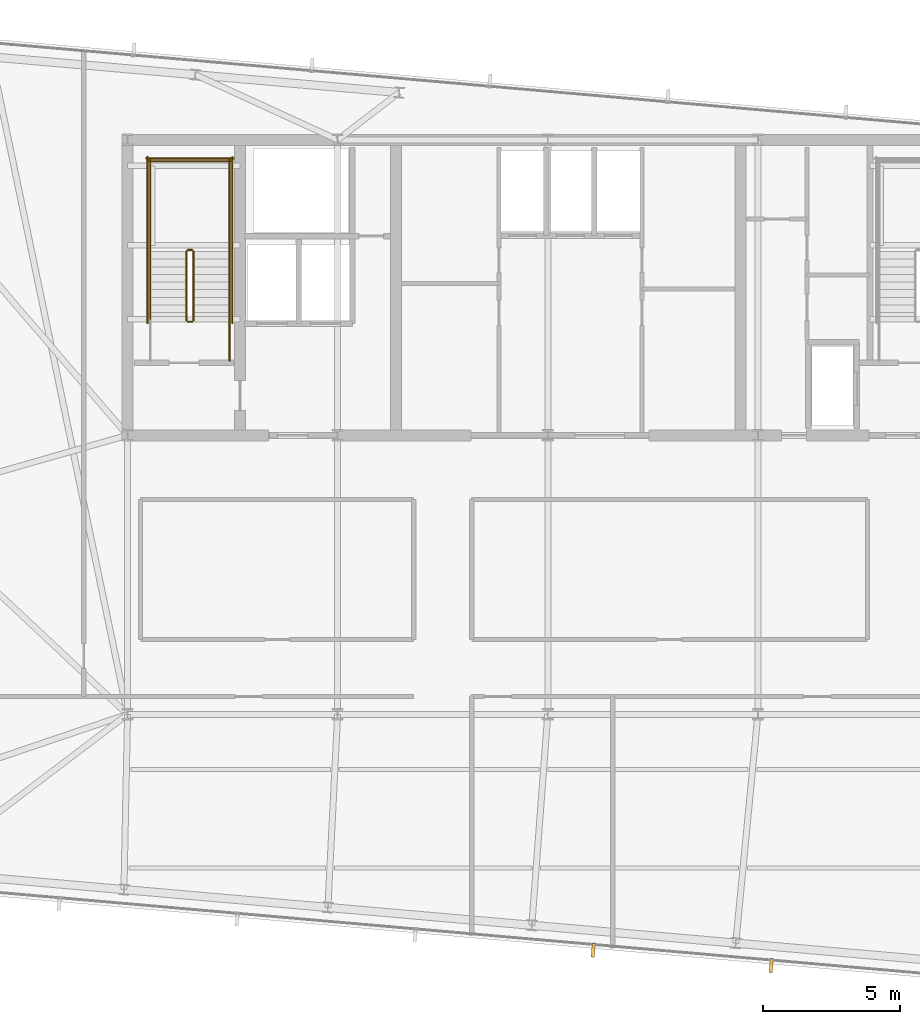
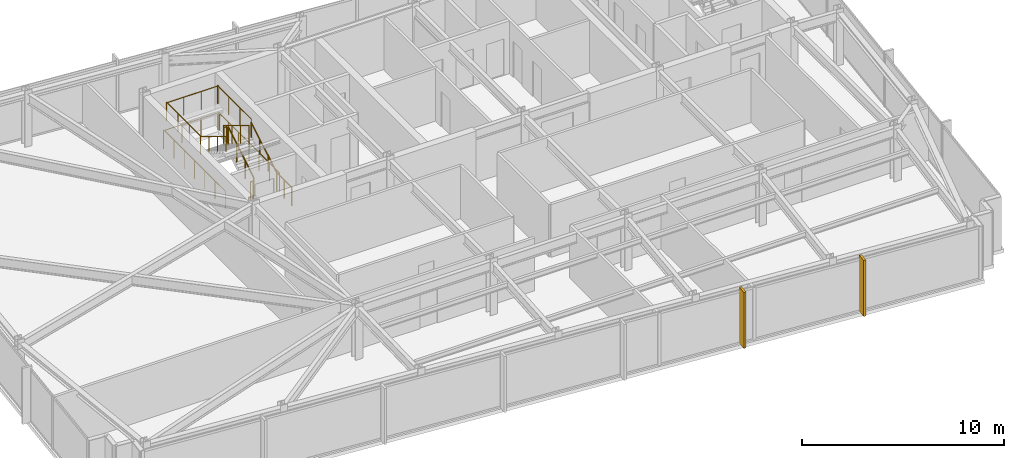
# One storey, part 30 of 32: 13 railings, 2 shading devices.
"""IFC4 building model written with IfcOpenShell, lengths in metres."""

from ifc_helpers import new_model, si_unit, direction, frame, origin, origin_2d, place, context, subcontext, project, spatial, rectangle, circle, extrude, material, layer, layer_set, type_object, element, save


model = new_model("IFC4")

# Units and contexts
model_context = context("Model", 3, precision=1e-05, world=origin(), true_north=direction((0.0, 1.0)))
body_context = subcontext(model_context, "Body", "Model", "MODEL_VIEW")
ifc_project = project(units=[si_unit("LENGTHUNIT", "METRE"), si_unit("AREAUNIT", "SQUARE_METRE"), si_unit("VOLUMEUNIT", "CUBIC_METRE"), si_unit("PLANEANGLEUNIT", "RADIAN"), si_unit("MASSUNIT", "GRAM", prefix="KILO")], contexts=[model_context])

# Site, building, storey
site_placement = place(None, origin())
site = spatial("IfcSite", under=ifc_project, at=site_placement, CompositionType="ELEMENT")
building_placement = place(site_placement, origin())
building = spatial("IfcBuilding", under=site, at=building_placement, Name="Yelkora Congress Tower", CompositionType="ELEMENT")
storey_placement = place(building_placement, frame((0.0, 0.0, 262.5)))
storey = spatial("IfcBuildingStorey", under=building, at=storey_placement, Name="L73", CompositionType="ELEMENT", Elevation=262.5)

# Railings
ifc_material_1 = material(Name="Painted galvanised steel stair well guard with vertical infill", Category="steel")
ifc_layer_1 = layer(ifc_material_1, 0.06005859375)
ifc_layer_set_1 = layer_set([ifc_layer_1], Name="Painted galvanised steel stair well guard with vertical infill")
railing_type_1 = type_object("IfcRailingType", Name="RAIL-STAIR-GUARD-1120", PredefinedType="GUARDRAIL", material=ifc_layer_set_1)
railing_1_placement = place(storey_placement, frame((25.449951171875, 39.60009765625, 0.169921875)))
element("IfcRailing", 1, at=railing_1_placement, inside=storey, type_object=railing_type_1, Name="ST-01 L73 Stair Well Guardrail 1", PredefinedType="GUARDRAIL", context=body_context, shape_type="SweptSolid", body=[
    extrude(circle(Radius=0.02392578125, at=origin_2d()), frame((0.0, 0.0, 1.09619140625), z_axis=(0.0, 0.85478489116, 0.518982456201), x_axis=(-1.0, 0.0, 0.0)), (0.0, 0.0, 1.0), 2.9482421875),
    extrude(circle(Radius=0.02099609375, at=origin_2d()), origin(), (0.0, 0.0, 1.0), 1.072021484375),
    extrude(circle(Radius=0.02099609375, at=origin_2d()), frame((0.0, 0.840087890625, 0.510009765625)), (0.0, 0.0, 1.0), 1.072021484375),
    extrude(circle(Radius=0.02099609375, at=origin_2d()), frame((0.0, 1.679931640625, 1.02001953125)), (0.0, 0.0, 1.0), 1.072021484375),
    extrude(circle(Radius=0.02099609375, at=origin_2d()), frame((0.0, 2.52001953125, 1.530029296875)), (0.0, 0.0, 1.0), 1.072021484375),
])
railing_2_placement = place(storey_placement, frame((25.39990234375, 42.169921875, 1.699951171875)))
element("IfcRailing", 2, at=railing_2_placement, inside=storey, type_object=railing_type_1, Name="ST-01 L73 Stair Well Guardrail 2", PredefinedType="GUARDRAIL", context=body_context, shape_type="SweptSolid", body=[
    extrude(circle(Radius=0.02392578125, at=origin_2d()), frame((0.0, 0.0, 1.09619140625), z_axis=(-1.0, 0.0, 0.0), x_axis=(0.0, -1.0, 0.0)), (0.0, 0.0, 1.0), 0.159912109375),
    extrude(circle(Radius=0.02099609375, at=origin_2d()), origin(), (0.0, 0.0, 1.0), 1.072021484375),
    extrude(circle(Radius=0.02099609375, at=origin_2d()), frame((-0.159912109375, 0.0, 0.0)), (0.0, 0.0, 1.0), 1.072021484375),
])
for number, where, name in (
    (3, (26.77001953125, 42.1201171875, 1.699951171875), "ST-01 L73 Stair Well Guardrail 3"),
    (4, (23.8701171875, 42.1201171875, 1.699951171875), "ST-01 L73 Stair Well Guardrail 4"),
):
    element("IfcRailing", number, at=place(storey_placement, frame(where)), inside=storey, type_object=railing_type_1, Name=name, PredefinedType="GUARDRAIL", context=body_context, shape_type="SweptSolid", body=[
        extrude(circle(Radius=0.02392578125, at=origin_2d()), frame((0.0, 0.0, 1.09619140625), z_axis=(0.0, 1.0, 0.0), x_axis=(-1.0, 0.0, 0.0)), (0.0, 0.0, 1.0), 3.349853515625),
        extrude(circle(Radius=0.02099609375, at=origin_2d()), origin(), (0.0, 0.0, 1.0), 1.072021484375),
        extrude(circle(Radius=0.02099609375, at=origin_2d()), frame((0.0, 1.11669921875, 0.0)), (0.0, 0.0, 1.0), 1.072021484375),
        extrude(circle(Radius=0.02099609375, at=origin_2d()), frame((0.0, 2.233154296875, 0.0)), (0.0, 0.0, 1.0), 1.072021484375),
        extrude(circle(Radius=0.02099609375, at=origin_2d()), frame((0.0, 3.349853515625, 0.0)), (0.0, 0.0, 1.0), 1.072021484375),
    ])
railing_3_placement = place(storey_placement, frame((26.820068359375, 45.419921875, 1.699951171875)))
element("IfcRailing", 5, at=railing_3_placement, inside=storey, type_object=railing_type_1, Name="ST-01 L73 Stair Well Guardrail 5", PredefinedType="GUARDRAIL", context=body_context, shape_type="SweptSolid", body=[
    extrude(circle(Radius=0.02392578125, at=origin_2d()), frame((0.0, 0.0, 1.09619140625), z_axis=(-1.0, 0.0, 0.0), x_axis=(0.0, -1.0, 0.0)), (0.0, 0.0, 1.0), 3.0),
    extrude(circle(Radius=0.02099609375, at=origin_2d()), origin(), (0.0, 0.0, 1.0), 1.072021484375),
    extrude(circle(Radius=0.02099609375, at=origin_2d()), frame((-1.0, 0.0, 0.0)), (0.0, 0.0, 1.0), 1.072021484375),
    extrude(circle(Radius=0.02099609375, at=origin_2d()), frame((-2.0, 0.0, 0.0)), (0.0, 0.0, 1.0), 1.072021484375),
    extrude(circle(Radius=0.02099609375, at=origin_2d()), frame((-3.0, 0.0, 0.0)), (0.0, 0.0, 1.0), 1.072021484375),
])
railing_4_placement = place(storey_placement, frame((25.18994140625, 42.1201171875, 1.8701171875)))
element("IfcRailing", 6, at=railing_4_placement, inside=storey, type_object=railing_type_1, Name="ST-01 L73 Stair Well Guardrail 6", PredefinedType="GUARDRAIL", context=body_context, shape_type="SweptSolid", body=[
    extrude(circle(Radius=0.02392578125, at=origin_2d()), frame((0.0, 0.0, 1.09619140625), z_axis=(0.0, -0.854821627497, 0.518921945155), x_axis=(1.0, 0.0, 0.0)), (0.0, 0.0, 1.0), 2.947998046875),
    extrude(circle(Radius=0.02099609375, at=origin_2d()), origin(), (0.0, 0.0, 1.0), 1.072021484375),
    extrude(circle(Radius=0.02099609375, at=origin_2d()), frame((0.0, -0.840087890625, 0.510009765625)), (0.0, 0.0, 1.0), 1.072021484375),
    extrude(circle(Radius=0.02099609375, at=origin_2d()), frame((0.0, -1.679931640625, 1.019775390625)), (0.0, 0.0, 1.0), 1.072021484375),
    extrude(circle(Radius=0.02099609375, at=origin_2d()), frame((0.0, -2.52001953125, 1.52978515625)), (0.0, 0.0, 1.0), 1.072021484375),
])
railing_5_placement = place(storey_placement, frame((25.39990234375, 39.550048828125, 0.0)))
element("IfcRailing", 7, at=railing_5_placement, inside=storey, type_object=railing_type_1, Name="ST-01 L73 Stair Well Guardrail 7", PredefinedType="GUARDRAIL", context=body_context, shape_type="SweptSolid", body=[
    extrude(circle(Radius=0.02392578125, at=origin_2d()), frame((0.0, 0.0, 1.09619140625), z_axis=(-1.0, 0.0, 0.0), x_axis=(0.0, -1.0, 0.0)), (0.0, 0.0, 1.0), 0.159912109375),
    extrude(circle(Radius=0.02099609375, at=origin_2d()), origin(), (0.0, 0.0, 1.0), 1.072021484375),
    extrude(circle(Radius=0.02099609375, at=origin_2d()), frame((-0.159912109375, 0.0, 0.0)), (0.0, 0.0, 1.0), 1.072021484375),
])
railing_6_placement = place(storey_placement, frame((26.77001953125, 38.1201171875, 0.0)))
element("IfcRailing", 8, at=railing_6_placement, inside=storey, type_object=railing_type_1, Name="ST-01 L73 Stair Well Guardrail 8", PredefinedType="GUARDRAIL", context=body_context, shape_type="SweptSolid", body=[
    extrude(circle(Radius=0.02392578125, at=origin_2d()), frame((0.0, 0.0, 1.09619140625), z_axis=(0.0, 1.0, 0.0), x_axis=(-1.0, 0.0, 0.0)), (0.0, 0.0, 1.0), 1.47998046875),
    extrude(circle(Radius=0.02099609375, at=origin_2d()), origin(), (0.0, 0.0, 1.0), 1.072021484375),
    extrude(circle(Radius=0.02099609375, at=origin_2d()), frame((0.0, 0.739990234375, 0.0)), (0.0, 0.0, 1.0), 1.072021484375),
    extrude(circle(Radius=0.02099609375, at=origin_2d()), frame((0.0, 1.47998046875, 0.0)), (0.0, 0.0, 1.0), 1.072021484375),
])
for number, where, name in (
    (9, (26.8701171875, 39.5, 0.0), "ST-01 L73 Stair Well Guardrail 10"),
    (10, (23.77001953125, 39.5, 0.0), "ST-01 L73 Stair Well Guardrail 11"),
):
    element("IfcRailing", number, at=place(storey_placement, frame(where)), inside=storey, type_object=railing_type_1, Name=name, PredefinedType="GUARDRAIL", context=body_context, shape_type="SweptSolid", body=[
        extrude(circle(Radius=0.02392578125, at=origin_2d()), frame((0.0, 0.0, 1.09619140625), z_axis=(0.0, 1.0, 0.0), x_axis=(-1.0, 0.0, 0.0)), (0.0, 0.0, 1.0), 6.070068359375),
        extrude(circle(Radius=0.02099609375, at=origin_2d()), origin(), (0.0, 0.0, 1.0), 1.072021484375),
        extrude(circle(Radius=0.02099609375, at=origin_2d()), frame((0.0, 1.01171875, 0.0)), (0.0, 0.0, 1.0), 1.072021484375),
        extrude(circle(Radius=0.02099609375, at=origin_2d()), frame((0.0, 2.0234375, 0.0)), (0.0, 0.0, 1.0), 1.072021484375),
        extrude(circle(Radius=0.02099609375, at=origin_2d()), frame((0.0, 3.03515625, 0.0)), (0.0, 0.0, 1.0), 1.072021484375),
        extrude(circle(Radius=0.02099609375, at=origin_2d()), frame((0.0, 4.046630859375, 0.0)), (0.0, 0.0, 1.0), 1.072021484375),
        extrude(circle(Radius=0.02099609375, at=origin_2d()), frame((0.0, 5.058349609375, 0.0)), (0.0, 0.0, 1.0), 1.072021484375),
        extrude(circle(Radius=0.02099609375, at=origin_2d()), frame((0.0, 6.070068359375, 0.0)), (0.0, 0.0, 1.0), 1.072021484375),
    ])
railing_7_placement = place(storey_placement, frame((26.919921875, 45.52001953125, 0.0)))
element("IfcRailing", 11, at=railing_7_placement, inside=storey, type_object=railing_type_1, Name="ST-01 L73 Stair Well Guardrail 12", PredefinedType="GUARDRAIL", context=body_context, shape_type="SweptSolid", body=[
    extrude(circle(Radius=0.02392578125, at=origin_2d()), frame((0.0, 0.0, 1.09619140625), z_axis=(-1.0, 0.0, 0.0), x_axis=(0.0, -1.0, 0.0)), (0.0, 0.0, 1.0), 3.199951171875),
    extrude(circle(Radius=0.02099609375, at=origin_2d()), origin(), (0.0, 0.0, 1.0), 1.072021484375),
    extrude(circle(Radius=0.02099609375, at=origin_2d()), frame((-1.066650390625, 0.0, 0.0)), (0.0, 0.0, 1.0), 1.072021484375),
    extrude(circle(Radius=0.02099609375, at=origin_2d()), frame((-2.13330078125, 0.0, 0.0)), (0.0, 0.0, 1.0), 1.072021484375),
    extrude(circle(Radius=0.02099609375, at=origin_2d()), frame((-3.199951171875, 0.0, 0.0)), (0.0, 0.0, 1.0), 1.072021484375),
])
ifc_material_2 = material(Name="Brushed stainless steel tubular handrail", Category="steel")
ifc_layer_2 = layer(ifc_material_2, 0.050048828125)
ifc_layer_set_2 = layer_set([ifc_layer_2], Name="Brushed stainless steel tubular handrail")
railing_type_2 = type_object("IfcRailingType", Name="RAIL-STAIR-HAND-920", PredefinedType="HANDRAIL", material=ifc_layer_set_2)
railing_8_placement = place(storey_placement, frame((26.77001953125, 39.60009765625, 0.169921875)))
element("IfcRailing", 12, at=railing_8_placement, inside=storey, type_object=railing_type_2, Name="ST-01 L73 Pitch Handrail 1", PredefinedType="HANDRAIL", context=body_context, shape_type="SweptSolid", body=[
    extrude(circle(Radius=0.02392578125, at=origin_2d()), frame((0.0, 0.0, 0.89599609375), z_axis=(0.0, 0.85478489116, 0.518982456201), x_axis=(-1.0, 0.0, 0.0)), (0.0, 0.0, 1.0), 2.9482421875),
    extrude(circle(Radius=0.02099609375, at=origin_2d()), origin(), (0.0, 0.0, 1.0), 0.871826171875),
    extrude(circle(Radius=0.02099609375, at=origin_2d()), frame((0.0, 0.840087890625, 0.510009765625)), (0.0, 0.0, 1.0), 0.871826171875),
    extrude(circle(Radius=0.02099609375, at=origin_2d()), frame((0.0, 1.679931640625, 1.02001953125)), (0.0, 0.0, 1.0), 0.871826171875),
    extrude(circle(Radius=0.02099609375, at=origin_2d()), frame((0.0, 2.52001953125, 1.530029296875)), (0.0, 0.0, 1.0), 0.871826171875),
])
railing_9_placement = place(storey_placement, frame((23.8701171875, 42.1201171875, 1.8701171875)))
element("IfcRailing", 13, at=railing_9_placement, inside=storey, type_object=railing_type_2, Name="ST-01 L73 Pitch Handrail 2", PredefinedType="HANDRAIL", context=body_context, shape_type="SweptSolid", body=[
    extrude(circle(Radius=0.02392578125, at=origin_2d()), frame((0.0, 0.0, 0.89599609375), z_axis=(0.0, -0.854821627497, 0.518921945155), x_axis=(1.0, 0.0, 0.0)), (0.0, 0.0, 1.0), 2.947998046875),
    extrude(circle(Radius=0.02099609375, at=origin_2d()), origin(), (0.0, 0.0, 1.0), 0.871826171875),
    extrude(circle(Radius=0.02099609375, at=origin_2d()), frame((0.0, -0.840087890625, 0.510009765625)), (0.0, 0.0, 1.0), 0.871826171875),
    extrude(circle(Radius=0.02099609375, at=origin_2d()), frame((0.0, -1.679931640625, 1.019775390625)), (0.0, 0.0, 1.0), 0.871826171875),
    extrude(circle(Radius=0.02099609375, at=origin_2d()), frame((0.0, -2.52001953125, 1.52978515625)), (0.0, 0.0, 1.0), 0.871826171875),
])

# Shading devices
ifc_material_3 = material(Name="Champagne anodised aluminium", Category="aluminium")
ifc_layer_3 = layer(ifc_material_3, 3.300048828125)
ifc_layer_set_3 = layer_set([ifc_layer_3], Name="Champagne anodised aluminium")
shading_device_type = type_object("IfcShadingDeviceType", Name="SHD-FIN-ALU-520", PredefinedType="USERDEFINED", material=ifc_layer_set_3)
for number, where, z_axis, x_axis, name in (
    (14, (46.567138671875, 16.0107421875, -0.030029296875), (0.0, 0.0, 1.0), (-0.996194698092, 0.087155742748, 0.0), "L73 Vertical Anodised Solar Fin 20-1"),
    (15, (40.060546875, 16.579833984375, -0.030029296875), (0.0, 0.0, 1.0), (-0.996194698092, 0.087155742748, 0.0), "L73 Vertical Anodised Solar Fin 20-2"),
):
    element("IfcShadingDevice", number, at=place(storey_placement, frame(where, z_axis=z_axis, x_axis=x_axis)), inside=storey, type_object=shading_device_type, Name=name, ObjectType="FIN", PredefinedType="USERDEFINED", context=body_context, shape_type="SweptSolid", body=[
        extrude(rectangle(XDim=0.1201171875, YDim=0.52001953125, at=origin_2d()), origin(), (0.0, 0.0, 1.0), 3.3798828125),
    ])

save(model, "model.ifc")
